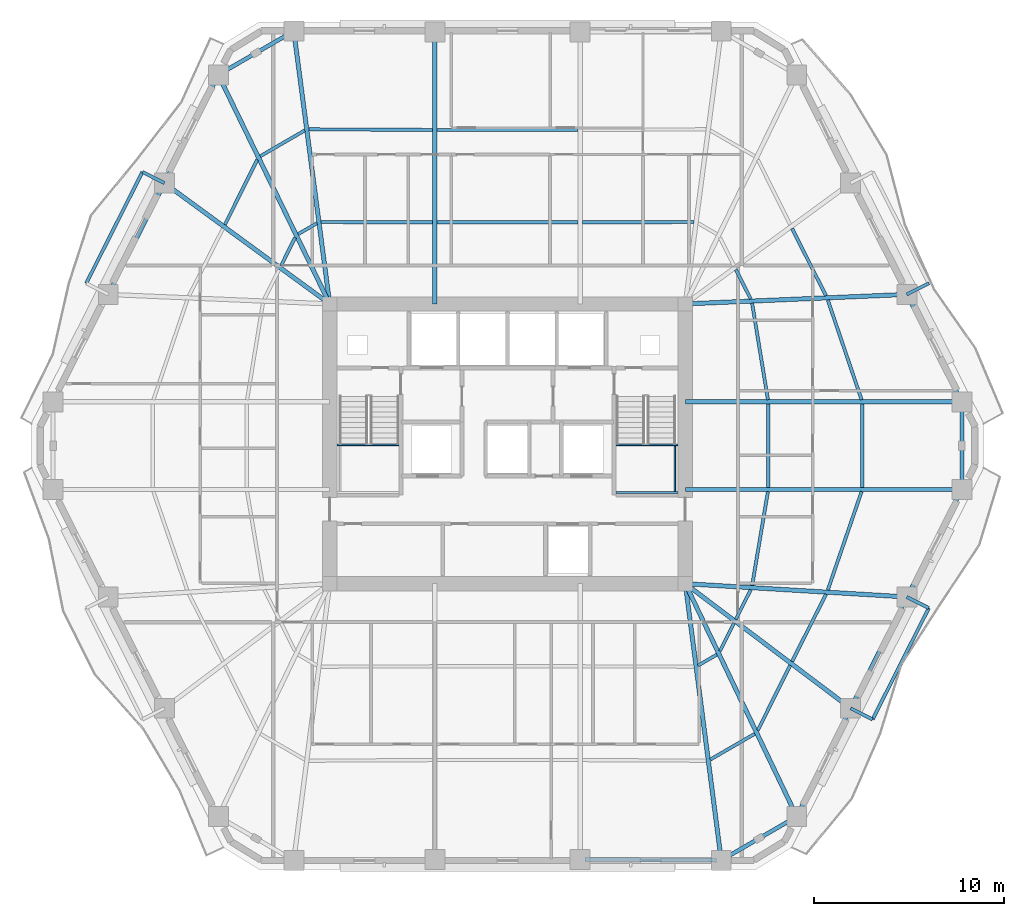
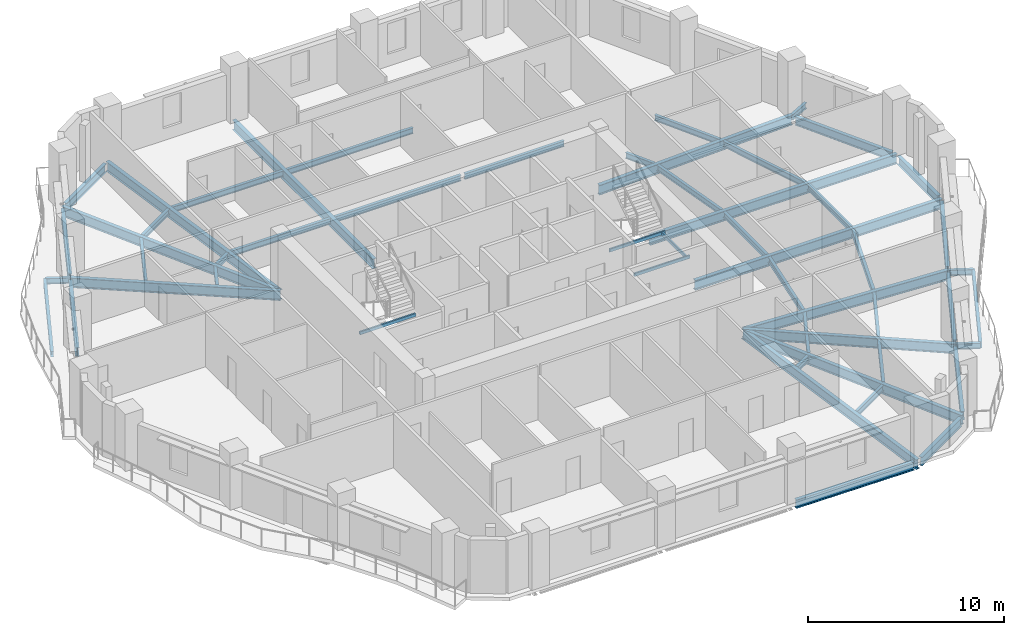
# One storey, part 2 of 12: 54 beams.
"""IFC4 building model written with IfcOpenShell, lengths in metres."""

from ifc_helpers import new_model, si_unit, direction, frame, origin, origin_2d, place, context, subcontext, project, spatial, hollow_rectangle, i_section, extrude, material, material_profile, profile_set, type_object, element, save


model = new_model("IFC4")

# Units and contexts
model_context = context("Model", 3, precision=1e-05, world=origin(), true_north=direction((0.0, 1.0)))
body_context = subcontext(model_context, "Body", "Model", "MODEL_VIEW")
ifc_project = project(units=[si_unit("LENGTHUNIT", "METRE"), si_unit("AREAUNIT", "SQUARE_METRE"), si_unit("VOLUMEUNIT", "CUBIC_METRE"), si_unit("PLANEANGLEUNIT", "RADIAN"), si_unit("MASSUNIT", "GRAM", prefix="KILO")], contexts=[model_context])

# Site, building, storey
site_placement = place(None, origin())
site = spatial("IfcSite", under=ifc_project, at=site_placement, CompositionType="ELEMENT")
building_placement = place(site_placement, origin())
building = spatial("IfcBuilding", under=site, at=building_placement, Name="Cinnabar Lancet Tower", CompositionType="ELEMENT")
storey_placement = place(building_placement, frame((0.0, 0.0, 126.800048828125)))
storey = spatial("IfcBuildingStorey", under=building, at=storey_placement, Name="L33", CompositionType="ELEMENT", Elevation=126.800048828125)

# Beams
ifc_material_1 = material(Name="Structural steel S355", Category="steel")
ifc_material_profile_1 = material_profile(ifc_material_1, i_section(OverallWidth=0.17138671875, OverallDepth=0.35498046875, WebThickness=0.00732421875, FlangeThickness=0.011474609375, FilletRadius=0.01025390625, at=origin_2d()), Name="UKB 356x171x51")
ifc_profile_set_1 = profile_set([ifc_material_profile_1], Name="Structural steel S355")
beam_type_1 = type_object("IfcBeamType", Name="STR-BM-JST-356", PredefinedType="JOIST", material=ifc_profile_set_1)
beam_1_placement = place(storey_placement, frame((43.093994140625, 9.251953125, -0.386962890625), z_axis=(0.865172906898, 0.501473669469, 0.0), x_axis=(-0.501473669469, 0.865172906898, 0.0)))
element("IfcBeam", 1, at=beam_1_placement, inside=storey, type_object=beam_type_1, Name="L33 Secondary Floor Joist 15", PredefinedType="JOIST", context=body_context, shape_type="SweptSolid", body=[
    extrude(i_section(OverallWidth=0.17138671875, OverallDepth=0.35498046875, WebThickness=0.00732421875, FlangeThickness=0.011474609375, FilletRadius=0.01025390625, at=origin_2d()), origin(), (0.0, 0.0, 1.0), 2.705810546875),
])
beam_2_placement = place(storey_placement, frame((42.449951171875, 14.2109375, -0.386962890625), z_axis=(0.865055308165, 0.501676503154, 0.0), x_axis=(-0.501676503154, 0.865055308165, 0.0)))
element("IfcBeam", 2, at=beam_2_placement, inside=storey, type_object=beam_type_1, Name="L33 Secondary Floor Joist 16", PredefinedType="JOIST", context=body_context, shape_type="SweptSolid", body=[
    extrude(i_section(OverallWidth=0.17138671875, OverallDepth=0.35498046875, WebThickness=0.00732421875, FlangeThickness=0.011474609375, FilletRadius=0.01025390625, at=origin_2d()), origin(), (0.0, 0.0, 1.0), 1.14208984375),
])
beam_3_placement = place(storey_placement, frame((45.59912109375, 10.7958984375, -0.386962890625), z_axis=(0.445295120803, 0.895383859241, 0.0), x_axis=(-0.895383859241, 0.445295120803, 0.0)))
element("IfcBeam", 3, at=beam_3_placement, inside=storey, type_object=beam_type_1, Name="L33 Secondary Floor Joist 17", PredefinedType="JOIST", context=body_context, shape_type="SweptSolid", body=[
    extrude(i_section(OverallWidth=0.17138671875, OverallDepth=0.35498046875, WebThickness=0.00732421875, FlangeThickness=0.011474609375, FilletRadius=0.01025390625, at=origin_2d()), origin(), (0.0, 0.0, 1.0), 3.81982421875),
])
beam_4_placement = place(storey_placement, frame((43.60205078125, 14.970947265625, -0.386962890625), z_axis=(0.44543923568, 0.895312173109, 0.0), x_axis=(-0.895312173109, 0.44543923568, 0.0)))
element("IfcBeam", 4, at=beam_4_placement, inside=storey, type_object=beam_type_1, Name="L33 Secondary Floor Joist 18", PredefinedType="JOIST", context=body_context, shape_type="SweptSolid", body=[
    extrude(i_section(OverallWidth=0.17138671875, OverallDepth=0.35498046875, WebThickness=0.00732421875, FlangeThickness=0.011474609375, FilletRadius=0.01025390625, at=origin_2d()), origin(), (0.0, 0.0, 1.0), 1.65185546875),
])
beam_5_placement = place(storey_placement, frame((47.404052734375, 14.424072265625, -0.386962890625), z_axis=(0.450706028652, 0.892672434736, 0.0), x_axis=(-0.892672434736, 0.450706028652, 0.0)))
element("IfcBeam", 5, at=beam_5_placement, inside=storey, type_object=beam_type_1, Name="L33 Secondary Floor Joist 19", PredefinedType="JOIST", context=body_context, shape_type="SweptSolid", body=[
    extrude(i_section(OverallWidth=0.17138671875, OverallDepth=0.35498046875, WebThickness=0.00732421875, FlangeThickness=0.011474609375, FilletRadius=0.01025390625, at=origin_2d()), origin(), (0.0, 0.0, 1.0), 3.966796875),
])
beam_6_placement = place(storey_placement, frame((44.44091796875, 16.657958984375, -0.386962890625), z_axis=(0.450874341268, 0.892587434589, 0.0), x_axis=(-0.892587434589, 0.450874341268, 0.0)))
element("IfcBeam", 6, at=beam_6_placement, inside=storey, type_object=beam_type_1, Name="L33 Secondary Floor Joist 20", PredefinedType="JOIST", context=body_context, shape_type="SweptSolid", body=[
    extrude(i_section(OverallWidth=0.17138671875, OverallDepth=0.35498046875, WebThickness=0.00732421875, FlangeThickness=0.011474609375, FilletRadius=0.01025390625, at=origin_2d()), origin(), (0.0, 0.0, 1.0), 1.732177734375),
])
beam_7_placement = place(storey_placement, frame((49.287109375, 18.18798828125, -0.386962890625), z_axis=(0.324639458548, 0.945837841257, 0.0), x_axis=(-0.945837841257, 0.324639458548, 0.0)))
element("IfcBeam", 7, at=beam_7_placement, inside=storey, type_object=beam_type_1, Name="L33 Secondary Floor Joist 21", PredefinedType="JOIST", context=body_context, shape_type="SweptSolid", body=[
    extrude(i_section(OverallWidth=0.17138671875, OverallDepth=0.35498046875, WebThickness=0.00732421875, FlangeThickness=0.011474609375, FilletRadius=0.01025390625, at=origin_2d()), origin(), (0.0, 0.0, 1.0), 5.486083984375),
])
beam_8_placement = place(storey_placement, frame((45.297119140625, 18.427978515625, -0.386962890625), z_axis=(0.165937104691, 0.986136338082, 0.0), x_axis=(-0.986136338082, 0.165937104691, 0.0)))
element("IfcBeam", 8, at=beam_8_placement, inside=storey, type_object=beam_type_1, Name="L33 Secondary Floor Joist 22", PredefinedType="JOIST", context=body_context, shape_type="SweptSolid", body=[
    extrude(i_section(OverallWidth=0.17138671875, OverallDepth=0.35498046875, WebThickness=0.00732421875, FlangeThickness=0.011474609375, FilletRadius=0.01025390625, at=origin_2d()), origin(), (0.0, 0.0, 1.0), 5.0185546875),
])
for number, where, z_axis, x_axis, name in (
    (9, (51.10693359375, 23.60498046875, -0.386962890625), (0.0, 1.0, 0.0), (-1.0, 0.0, 0.0), "L33 Secondary Floor Joist 23"),
    (10, (46.14990234375, 23.60498046875, -0.386962890625), (0.0, 1.0, 0.0), (-1.0, 0.0, 0.0), "L33 Secondary Floor Joist 24"),
):
    element("IfcBeam", number, at=place(storey_placement, frame(where, z_axis=z_axis, x_axis=x_axis)), inside=storey, type_object=beam_type_1, Name=name, PredefinedType="JOIST", context=body_context, shape_type="SweptSolid", body=[
        extrude(i_section(OverallWidth=0.17138671875, OverallDepth=0.35498046875, WebThickness=0.00732421875, FlangeThickness=0.011474609375, FilletRadius=0.01025390625, at=origin_2d()), origin(), (0.0, 0.0, 1.0), 4.39013671875),
    ])
beam_9_placement = place(storey_placement, frame((51.069091796875, 28.222900390625, -0.386962890625), z_axis=(-0.321063338019, 0.947057724207, 0.0), x_axis=(-0.947057724207, -0.321063338019, 0.0)))
element("IfcBeam", 11, at=beam_9_placement, inside=storey, type_object=beam_type_1, Name="L33 Secondary Floor Joist 25", PredefinedType="JOIST", context=body_context, shape_type="SweptSolid", body=[
    extrude(i_section(OverallWidth=0.17138671875, OverallDepth=0.35498046875, WebThickness=0.00732421875, FlangeThickness=0.011474609375, FilletRadius=0.01025390625, at=origin_2d()), origin(), (0.0, 0.0, 1.0), 5.553955078125),
])
beam_10_placement = place(storey_placement, frame((46.131103515625, 28.222900390625, -0.386962890625), z_axis=(-0.161719098977, 0.986836832017, 0.0), x_axis=(-0.986836832017, -0.161719098977, 0.0)))
element("IfcBeam", 12, at=beam_10_placement, inside=storey, type_object=beam_type_1, Name="L33 Secondary Floor Joist 26", PredefinedType="JOIST", context=body_context, shape_type="SweptSolid", body=[
    extrude(i_section(OverallWidth=0.17138671875, OverallDepth=0.35498046875, WebThickness=0.00732421875, FlangeThickness=0.011474609375, FilletRadius=0.01025390625, at=origin_2d()), origin(), (0.0, 0.0, 1.0), 5.156982421875),
])
beam_11_placement = place(storey_placement, frame((49.19189453125, 33.70703125, -0.386962890625), z_axis=(-0.450606998706, 0.892722427587, 0.0), x_axis=(-0.892722427587, -0.450606998706, 0.0)))
element("IfcBeam", 13, at=beam_11_placement, inside=storey, type_object=beam_type_1, Name="L33 Secondary Floor Joist 27", PredefinedType="JOIST", context=body_context, shape_type="SweptSolid", body=[
    extrude(i_section(OverallWidth=0.17138671875, OverallDepth=0.35498046875, WebThickness=0.00732421875, FlangeThickness=0.011474609375, FilletRadius=0.01025390625, at=origin_2d()), origin(), (0.0, 0.0, 1.0), 3.967529296875),
])
beam_12_placement = place(storey_placement, frame((45.221923828125, 33.537109375, -0.386962890625), z_axis=(-0.450931068976, 0.892558777354, 0.0), x_axis=(-0.892558777354, -0.450931068976, 0.0)))
element("IfcBeam", 14, at=beam_12_placement, inside=storey, type_object=beam_type_1, Name="L33 Secondary Floor Joist 28", PredefinedType="JOIST", context=body_context, shape_type="SweptSolid", body=[
    extrude(i_section(OverallWidth=0.17138671875, OverallDepth=0.35498046875, WebThickness=0.00732421875, FlangeThickness=0.011474609375, FilletRadius=0.01025390625, at=origin_2d()), origin(), (0.0, 0.0, 1.0), 1.73193359375),
])
beam_13_placement = place(storey_placement, frame((42.22802734375, 37.591064453125, -0.386962890625), z_axis=(-0.999996247906, -0.002739374605, 0.0), x_axis=(0.002739374605, -0.999996247906, 0.0)))
element("IfcBeam", 15, at=beam_13_placement, inside=storey, type_object=beam_type_1, Name="L33 Secondary Floor Joist 34", PredefinedType="JOIST", context=body_context, shape_type="SweptSolid", body=[
    extrude(i_section(OverallWidth=0.17138671875, OverallDepth=0.35498046875, WebThickness=0.00732421875, FlangeThickness=0.011474609375, FilletRadius=0.01025390625, at=origin_2d()), origin(), (0.0, 0.0, 1.0), 5.882080078125),
])
for number, where, z_axis, x_axis, name in (
    (16, (36.117919921875, 42.447998046875, -0.386962890625), (-1.0, 0.0, 0.0), (0.0, -1.0, 0.0), "L33 Secondary Floor Joist 35"),
    (17, (36.117919921875, 37.574951171875, -0.386962890625), (-1.0, 0.0, 0.0), (0.0, -1.0, 0.0), "L33 Secondary Floor Joist 36"),
):
    element("IfcBeam", number, at=place(storey_placement, frame(where, z_axis=z_axis, x_axis=x_axis)), inside=storey, type_object=beam_type_1, Name=name, PredefinedType="JOIST", context=body_context, shape_type="SweptSolid", body=[
        extrude(i_section(OverallWidth=0.17138671875, OverallDepth=0.35498046875, WebThickness=0.00732421875, FlangeThickness=0.011474609375, FilletRadius=0.01025390625, at=origin_2d()), origin(), (0.0, 0.0, 1.0), 7.43603515625),
    ])
beam_14_placement = place(storey_placement, frame((28.4541015625, 42.448974609375, -0.386962890625), z_axis=(-0.999987991898, 0.004900618269, 0.0), x_axis=(-0.004900618269, -0.999987991898, 0.0)))
element("IfcBeam", 18, at=beam_14_placement, inside=storey, type_object=beam_type_1, Name="L33 Secondary Floor Joist 37", PredefinedType="JOIST", context=body_context, shape_type="SweptSolid", body=[
    extrude(i_section(OverallWidth=0.17138671875, OverallDepth=0.35498046875, WebThickness=0.00732421875, FlangeThickness=0.011474609375, FilletRadius=0.01025390625, at=origin_2d()), origin(), (0.0, 0.0, 1.0), 6.526123046875),
])
beam_15_placement = place(storey_placement, frame((28.4541015625, 37.574951171875, -0.386962890625), z_axis=(-0.999996247906, 0.002739374605, 0.0), x_axis=(-0.002739374605, -0.999996247906, 0.0)))
element("IfcBeam", 19, at=beam_15_placement, inside=storey, type_object=beam_type_1, Name="L33 Secondary Floor Joist 38", PredefinedType="JOIST", context=body_context, shape_type="SweptSolid", body=[
    extrude(i_section(OverallWidth=0.17138671875, OverallDepth=0.35498046875, WebThickness=0.00732421875, FlangeThickness=0.011474609375, FilletRadius=0.01025390625, at=origin_2d()), origin(), (0.0, 0.0, 1.0), 5.882080078125),
])
beam_16_placement = place(storey_placement, frame((21.7060546875, 42.419921875, -0.386962890625), z_axis=(-0.865172906898, -0.501473669469, 0.0), x_axis=(0.501473669469, -0.865172906898, 0.0)))
element("IfcBeam", 20, at=beam_16_placement, inside=storey, type_object=beam_type_1, Name="L33 Secondary Floor Joist 39", PredefinedType="JOIST", context=body_context, shape_type="SweptSolid", body=[
    extrude(i_section(OverallWidth=0.17138671875, OverallDepth=0.35498046875, WebThickness=0.00732421875, FlangeThickness=0.011474609375, FilletRadius=0.01025390625, at=origin_2d()), origin(), (0.0, 0.0, 1.0), 2.705810546875),
])
beam_17_placement = place(storey_placement, frame((22.35009765625, 37.529052734375, -0.386962890625), z_axis=(-0.865055308165, -0.501676503154, 0.0), x_axis=(0.501676503154, -0.865055308165, 0.0)))
element("IfcBeam", 21, at=beam_17_placement, inside=storey, type_object=beam_type_1, Name="L33 Secondary Floor Joist 40", PredefinedType="JOIST", context=body_context, shape_type="SweptSolid", body=[
    extrude(i_section(OverallWidth=0.17138671875, OverallDepth=0.35498046875, WebThickness=0.00732421875, FlangeThickness=0.011474609375, FilletRadius=0.01025390625, at=origin_2d()), origin(), (0.0, 0.0, 1.0), 1.14208984375),
])
beam_18_placement = place(storey_placement, frame((19.200927734375, 40.876953125, -0.386962890625), z_axis=(-0.445116798807, -0.895472520751, 0.0), x_axis=(0.895472520751, -0.445116798807, 0.0)))
element("IfcBeam", 22, at=beam_18_placement, inside=storey, type_object=beam_type_1, Name="L33 Secondary Floor Joist 41", PredefinedType="JOIST", context=body_context, shape_type="SweptSolid", body=[
    extrude(i_section(OverallWidth=0.17138671875, OverallDepth=0.35498046875, WebThickness=0.00732421875, FlangeThickness=0.011474609375, FilletRadius=0.01025390625, at=origin_2d()), origin(), (0.0, 0.0, 1.0), 3.8212890625),
])
beam_19_placement = place(storey_placement, frame((21.198974609375, 36.77001953125, -0.386962890625), z_axis=(-0.445795466264, -0.895134851438, 0.0), x_axis=(0.895134851438, -0.445795466264, 0.0)))
element("IfcBeam", 23, at=beam_19_placement, inside=storey, type_object=beam_type_1, Name="L33 Secondary Floor Joist 42", PredefinedType="JOIST", context=body_context, shape_type="SweptSolid", body=[
    extrude(i_section(OverallWidth=0.17138671875, OverallDepth=0.35498046875, WebThickness=0.00732421875, FlangeThickness=0.011474609375, FilletRadius=0.01025390625, at=origin_2d()), origin(), (0.0, 0.0, 1.0), 1.6533203125),
])
ifc_material_2 = material(Name="Structural steel S355", Category="steel")
ifc_material_profile_2 = material_profile(ifc_material_2, hollow_rectangle(XDim=0.10009765625, YDim=0.199951171875, WallThickness=0.008056640625, InnerFilletRadius=0.00390625, OuterFilletRadius=0.011962890625, at=origin_2d()), Name="RHS 200x100x8")
ifc_profile_set_2 = profile_set([ifc_material_profile_2], Name="Structural steel S355")
beam_type_2 = type_object("IfcBeamType", Name="STR-BM-LND-203", PredefinedType="BEAM", material=ifc_profile_set_2)
beam_20_placement = place(storey_placement, frame((23.39990234375, 25.844970703125, 1.474853515625), z_axis=(1.0, 0.0, 0.0), x_axis=(0.0, 1.0, 0.0)))
element("IfcBeam", 24, at=beam_20_placement, inside=storey, type_object=beam_type_2, Name="L33 ST-1-L33 Landing Support Beam N", PredefinedType="BEAM", context=body_context, shape_type="SweptSolid", body=[
    extrude(hollow_rectangle(XDim=0.10009765625, YDim=0.199951171875, WallThickness=0.008056640625, InnerFilletRadius=0.00390625, OuterFilletRadius=0.011962890625, at=origin_2d()), origin(), (0.0, 0.0, 1.0), 3.280029296875),
])
for number, where, z_axis, x_axis, name in (
    (25, (38.1201171875, 23.330078125, 1.474853515625), (1.0, 0.0, 0.0), (0.0, 1.0, 0.0), "L33 ST-2-L33 Landing Support Beam S"),
    (26, (38.1201171875, 25.844970703125, 1.474853515625), (1.0, 0.0, 0.0), (0.0, 1.0, 0.0), "L33 ST-2-L33 Landing Support Beam N"),
):
    element("IfcBeam", number, at=place(storey_placement, frame(where, z_axis=z_axis, x_axis=x_axis)), inside=storey, type_object=beam_type_2, Name=name, PredefinedType="BEAM", context=body_context, shape_type="SweptSolid", body=[
        extrude(hollow_rectangle(XDim=0.10009765625, YDim=0.199951171875, WallThickness=0.008056640625, InnerFilletRadius=0.00390625, OuterFilletRadius=0.011962890625, at=origin_2d()), origin(), (0.0, 0.0, 1.0), 3.27978515625),
    ])
beam_21_placement = place(storey_placement, frame((41.219970703125, 23.3798828125, 1.474853515625), z_axis=(0.0, 1.0, 0.0), x_axis=(-1.0, 0.0, 0.0)))
element("IfcBeam", 27, at=beam_21_placement, inside=storey, type_object=beam_type_2, Name="L33 ST-2-L33 Landing Side Trimmer Beam", PredefinedType="BEAM", context=body_context, shape_type="SweptSolid", body=[
    extrude(hollow_rectangle(XDim=0.10009765625, YDim=0.199951171875, WallThickness=0.008056640625, InnerFilletRadius=0.00390625, OuterFilletRadius=0.011962890625, at=origin_2d()), origin(), (0.0, 0.0, 1.0), 2.4150390625),
])
ifc_material_3 = material(Name="Structural steel S355", Category="steel")
ifc_material_profile_3 = material_profile(ifc_material_3, i_section(OverallWidth=0.209228515625, OverallDepth=0.533203125, WebThickness=0.010009765625, FlangeThickness=0.015625, FilletRadius=0.0126953125, at=origin_2d()), Name="UKB 533x210x92")
ifc_profile_set_3 = profile_set([ifc_material_profile_3], Name="Structural steel S355")
beam_type_3 = type_object("IfcBeamType", Name="STR-BM-SPN-533", PredefinedType="SPANDREL", material=ifc_profile_set_3)
beam_22_placement = place(storey_placement, frame((36.48193359375, 3.989990234375, -0.47705078125), z_axis=(0.999974980359, -0.007073800628, 0.0), x_axis=(0.007073800628, 0.999974980359, 0.0)))
element("IfcBeam", 28, at=beam_22_placement, inside=storey, type_object=beam_type_3, Name="L33 Perimeter Spandrel 3", PredefinedType="SPANDREL", context=body_context, shape_type="SweptSolid", body=[
    extrude(i_section(OverallWidth=0.209228515625, OverallDepth=0.533203125, WebThickness=0.010009765625, FlangeThickness=0.015625, FilletRadius=0.0126953125, at=origin_2d()), origin(), (0.0, 0.0, 1.0), 6.937255859375),
])
beam_23_placement = place(storey_placement, frame((43.885009765625, 4.06396484375, -0.47705078125), z_axis=(0.865112299906, 0.501578217781, 0.0), x_axis=(-0.501578217781, 0.865112299906, 0.0)))
element("IfcBeam", 29, at=beam_23_placement, inside=storey, type_object=beam_type_3, Name="L33 Perimeter Spandrel 4", PredefinedType="SPANDREL", context=body_context, shape_type="SweptSolid", body=[
    extrude(i_section(OverallWidth=0.209228515625, OverallDepth=0.533203125, WebThickness=0.010009765625, FlangeThickness=0.015625, FilletRadius=0.0126953125, at=origin_2d()), origin(), (0.0, 0.0, 1.0), 4.101318359375),
])
beam_24_placement = place(storey_placement, frame((47.760009765625, 6.469970703125, -0.47705078125), z_axis=(0.445501068635, 0.89528140707, 0.0), x_axis=(-0.89528140707, 0.445501068635, 0.0)))
element("IfcBeam", 30, at=beam_24_placement, inside=storey, type_object=beam_type_3, Name="L33 Perimeter Spandrel 5", PredefinedType="SPANDREL", context=body_context, shape_type="SweptSolid", body=[
    extrude(i_section(OverallWidth=0.209228515625, OverallDepth=0.533203125, WebThickness=0.010009765625, FlangeThickness=0.015625, FilletRadius=0.0126953125, at=origin_2d()), origin(), (0.0, 0.0, 1.0), 5.87646484375),
])
beam_25_placement = place(storey_placement, frame((50.60205078125, 12.177978515625, -0.47705078125), z_axis=(0.450570325924, 0.892740937449, 0.0), x_axis=(-0.892740937449, 0.450570325924, 0.0)))
element("IfcBeam", 31, at=beam_25_placement, inside=storey, type_object=beam_type_3, Name="L33 Perimeter Spandrel 6", PredefinedType="SPANDREL", context=body_context, shape_type="SweptSolid", body=[
    extrude(i_section(OverallWidth=0.209228515625, OverallDepth=0.533203125, WebThickness=0.010009765625, FlangeThickness=0.015625, FilletRadius=0.0126953125, at=origin_2d()), origin(), (0.0, 0.0, 1.0), 6.07470703125),
])
beam_26_placement = place(storey_placement, frame((53.56591796875, 18.0458984375, -0.47705078125), z_axis=(0.456109733574, 0.889923542187, 0.0), x_axis=(-0.889923542187, 0.456109733574, 0.0)))
element("IfcBeam", 32, at=beam_26_placement, inside=storey, type_object=beam_type_3, Name="L33 Perimeter Spandrel 7", PredefinedType="SPANDREL", context=body_context, shape_type="SweptSolid", body=[
    extrude(i_section(OverallWidth=0.209228515625, OverallDepth=0.533203125, WebThickness=0.010009765625, FlangeThickness=0.015625, FilletRadius=0.0126953125, at=origin_2d()), origin(), (0.0, 0.0, 1.0), 5.869140625),
])
beam_27_placement = place(storey_placement, frame((56.35693359375, 23.740966796875, -0.47705078125), z_axis=(0.0, 1.0, 0.0), x_axis=(-1.0, 0.0, 0.0)))
element("IfcBeam", 33, at=beam_27_placement, inside=storey, type_object=beam_type_3, Name="L33 Perimeter Spandrel 8", PredefinedType="SPANDREL", context=body_context, shape_type="SweptSolid", body=[
    extrude(i_section(OverallWidth=0.209228515625, OverallDepth=0.533203125, WebThickness=0.010009765625, FlangeThickness=0.015625, FilletRadius=0.0126953125, at=origin_2d()), origin(), (0.0, 0.0, 1.0), 4.117919921875),
])
beam_28_placement = place(storey_placement, frame((56.242919921875, 28.3310546875, -0.47705078125), z_axis=(-0.456126618405, 0.889914888055, 0.0), x_axis=(-0.889914888055, -0.456126618405, 0.0)))
element("IfcBeam", 34, at=beam_28_placement, inside=storey, type_object=beam_type_3, Name="L33 Perimeter Spandrel 9", PredefinedType="SPANDREL", context=body_context, shape_type="SweptSolid", body=[
    extrude(i_section(OverallWidth=0.209228515625, OverallDepth=0.533203125, WebThickness=0.010009765625, FlangeThickness=0.015625, FilletRadius=0.0126953125, at=origin_2d()), origin(), (0.0, 0.0, 1.0), 5.868896484375),
])
beam_29_placement = place(storey_placement, frame((20.9150390625, 47.535888671875, -0.47705078125), z_axis=(-0.865138129765, -0.5015336643, 0.0), x_axis=(0.5015336643, -0.865138129765, 0.0)))
element("IfcBeam", 35, at=beam_29_placement, inside=storey, type_object=beam_type_3, Name="L33 Perimeter Spandrel 16", PredefinedType="SPANDREL", context=body_context, shape_type="SweptSolid", body=[
    extrude(i_section(OverallWidth=0.209228515625, OverallDepth=0.533203125, WebThickness=0.010009765625, FlangeThickness=0.015625, FilletRadius=0.0126953125, at=origin_2d()), origin(), (0.0, 0.0, 1.0), 4.10107421875),
])
beam_30_placement = place(storey_placement, frame((17.0400390625, 45.1298828125, -0.47705078125), z_axis=(-0.445501068635, -0.89528140707, 0.0), x_axis=(0.89528140707, -0.445501068635, 0.0)))
element("IfcBeam", 36, at=beam_30_placement, inside=storey, type_object=beam_type_3, Name="L33 Perimeter Spandrel 17", PredefinedType="SPANDREL", context=body_context, shape_type="SweptSolid", body=[
    extrude(i_section(OverallWidth=0.209228515625, OverallDepth=0.533203125, WebThickness=0.010009765625, FlangeThickness=0.015625, FilletRadius=0.0126953125, at=origin_2d()), origin(), (0.0, 0.0, 1.0), 5.87646484375),
])
beam_31_placement = place(storey_placement, frame((14.197998046875, 39.422119140625, -0.47705078125), z_axis=(-0.450570325924, -0.892740937449, 0.0), x_axis=(0.892740937449, -0.450570325924, 0.0)))
element("IfcBeam", 37, at=beam_31_placement, inside=storey, type_object=beam_type_3, Name="L33 Perimeter Spandrel 18", PredefinedType="SPANDREL", context=body_context, shape_type="SweptSolid", body=[
    extrude(i_section(OverallWidth=0.209228515625, OverallDepth=0.533203125, WebThickness=0.010009765625, FlangeThickness=0.015625, FilletRadius=0.0126953125, at=origin_2d()), origin(), (0.0, 0.0, 1.0), 6.07470703125),
])
ifc_material_4 = material(Name="Structural steel S355", Category="steel")
ifc_material_profile_4 = material_profile(ifc_material_4, i_section(OverallWidth=0.228271484375, OverallDepth=0.607666015625, WebThickness=0.010986328125, FlangeThickness=0.017333984375, FilletRadius=0.0126953125, at=origin_2d()), Name="UKB 610x229x113")
ifc_profile_set_4 = profile_set([ifc_material_profile_4], Name="Structural steel S355")
beam_type_4 = type_object("IfcBeamType", Name="STR-BM-UKB610-113", PredefinedType="BEAM", material=ifc_profile_set_4)
beam_32_placement = place(storey_placement, frame((50.489013671875, 11.955078125, -0.51416015625), z_axis=(-0.798491457835, 0.602006139308, 0.0), x_axis=(-0.602006139308, -0.798491457835, 0.0)))
element("IfcBeam", 38, at=beam_32_placement, inside=storey, type_object=beam_type_4, Name="L33 Corner Collector Girder 2", PredefinedType="BEAM", context=body_context, shape_type="SweptSolid", body=[
    extrude(i_section(OverallWidth=0.228271484375, OverallDepth=0.607666015625, WebThickness=0.010986328125, FlangeThickness=0.017333984375, FilletRadius=0.0126953125, at=origin_2d()), origin(), (0.0, 0.0, 1.0), 10.913330078125),
])
beam_33_placement = place(storey_placement, frame((14.31103515625, 39.64501953125, -0.51416015625), z_axis=(0.807289993592, -0.590154951048, 0.0), x_axis=(0.590154951048, 0.807289993592, 0.0)))
element("IfcBeam", 39, at=beam_33_placement, inside=storey, type_object=beam_type_4, Name="L33 Corner Collector Girder 4", PredefinedType="BEAM", context=body_context, shape_type="SweptSolid", body=[
    extrude(i_section(OverallWidth=0.228271484375, OverallDepth=0.607666015625, WebThickness=0.010986328125, FlangeThickness=0.017333984375, FilletRadius=0.0126953125, at=origin_2d()), origin(), (0.0, 0.0, 1.0), 10.7939453125),
])
beam_34_placement = place(storey_placement, frame((43.6689453125, 3.93896484375, -0.51416015625), z_axis=(-0.12877289353, 0.99167411073, 0.0), x_axis=(-0.99167411073, -0.12877289353, 0.0)))
element("IfcBeam", 40, at=beam_34_placement, inside=storey, type_object=beam_type_4, Name="L33 Primary Floor Girder 4", PredefinedType="BEAM", context=body_context, shape_type="SweptSolid", body=[
    extrude(i_section(OverallWidth=0.228271484375, OverallDepth=0.607666015625, WebThickness=0.010986328125, FlangeThickness=0.017333984375, FilletRadius=0.0126953125, at=origin_2d()), origin(), (0.0, 0.0, 1.0), 14.70849609375),
])
beam_35_placement = place(storey_placement, frame((47.64892578125, 6.24609375, -0.51416015625), z_axis=(-0.431548156881, 0.902089900339, 0.0), x_axis=(-0.902089900339, -0.431548156881, 0.0)))
element("IfcBeam", 41, at=beam_35_placement, inside=storey, type_object=beam_type_4, Name="L33 Primary Floor Girder 5", PredefinedType="BEAM", context=body_context, shape_type="SweptSolid", body=[
    extrude(i_section(OverallWidth=0.228271484375, OverallDepth=0.607666015625, WebThickness=0.010986328125, FlangeThickness=0.017333984375, FilletRadius=0.0126953125, at=origin_2d()), origin(), (0.0, 0.0, 1.0), 13.611572265625),
])
beam_36_placement = place(storey_placement, frame((53.451904296875, 17.823974609375, -0.51416015625), z_axis=(-0.998203272991, 0.059918492897, 0.0), x_axis=(-0.059918492897, -0.998203272991, 0.0)))
element("IfcBeam", 42, at=beam_36_placement, inside=storey, type_object=beam_type_4, Name="L33 Primary Floor Girder 7", PredefinedType="BEAM", context=body_context, shape_type="SweptSolid", body=[
    extrude(i_section(OverallWidth=0.228271484375, OverallDepth=0.607666015625, WebThickness=0.010986328125, FlangeThickness=0.017333984375, FilletRadius=0.0126953125, at=origin_2d()), origin(), (0.0, 0.0, 1.0), 11.697998046875),
])
for number, where, z_axis, x_axis, name in (
    (43, (56.35693359375, 23.490966796875, -0.51416015625), (-1.0, 0.0, 0.0), (0.0, -1.0, 0.0), "L33 Primary Floor Girder 8"),
    (44, (56.35693359375, 28.10888671875, -0.51416015625), (-1.0, 0.0, 0.0), (0.0, -1.0, 0.0), "L33 Primary Floor Girder 9"),
):
    element("IfcBeam", number, at=place(storey_placement, frame(where, z_axis=z_axis, x_axis=x_axis)), inside=storey, type_object=beam_type_4, Name=name, PredefinedType="BEAM", context=body_context, shape_type="SweptSolid", body=[
        extrude(i_section(OverallWidth=0.228271484375, OverallDepth=0.607666015625, WebThickness=0.010986328125, FlangeThickness=0.017333984375, FilletRadius=0.0126953125, at=origin_2d()), origin(), (0.0, 0.0, 1.0), 14.58203125),
    ])
beam_37_placement = place(storey_placement, frame((53.451904296875, 33.77587890625, -0.51416015625), z_axis=(-0.999080941658, -0.042863411158, 0.0), x_axis=(0.042863411158, -0.999080941658, 0.0)))
element("IfcBeam", 45, at=beam_37_placement, inside=storey, type_object=beam_type_4, Name="L33 Primary Floor Girder 10", PredefinedType="BEAM", context=body_context, shape_type="SweptSolid", body=[
    extrude(i_section(OverallWidth=0.228271484375, OverallDepth=0.607666015625, WebThickness=0.010986328125, FlangeThickness=0.017333984375, FilletRadius=0.0126953125, at=origin_2d()), origin(), (0.0, 0.0, 1.0), 11.687744140625),
])
beam_38_placement = place(storey_placement, frame((28.568115234375, 47.60791015625, -0.51416015625), z_axis=(0.0, -1.0, 0.0), x_axis=(1.0, 0.0, 0.0)))
element("IfcBeam", 46, at=beam_38_placement, inside=storey, type_object=beam_type_4, Name="L33 Primary Floor Girder 15", PredefinedType="BEAM", context=body_context, shape_type="SweptSolid", body=[
    extrude(i_section(OverallWidth=0.228271484375, OverallDepth=0.607666015625, WebThickness=0.010986328125, FlangeThickness=0.017333984375, FilletRadius=0.0126953125, at=origin_2d()), origin(), (0.0, 0.0, 1.0), 14.3330078125),
])
beam_39_placement = place(storey_placement, frame((21.131103515625, 47.660888671875, -0.51416015625), z_axis=(0.130515881524, -0.991446218748, 0.0), x_axis=(0.991446218748, 0.130515881524, 0.0)))
element("IfcBeam", 47, at=beam_39_placement, inside=storey, type_object=beam_type_4, Name="L33 Primary Floor Girder 16", PredefinedType="BEAM", context=body_context, shape_type="SweptSolid", body=[
    extrude(i_section(OverallWidth=0.228271484375, OverallDepth=0.607666015625, WebThickness=0.010986328125, FlangeThickness=0.017333984375, FilletRadius=0.0126953125, at=origin_2d()), origin(), (0.0, 0.0, 1.0), 14.510009765625),
])
beam_40_placement = place(storey_placement, frame((17.15087890625, 45.35400390625, -0.51416015625), z_axis=(0.437327473227, -0.899302330232, 0.0), x_axis=(0.899302330232, 0.437327473227, 0.0)))
element("IfcBeam", 48, at=beam_40_placement, inside=storey, type_object=beam_type_4, Name="L33 Primary Floor Girder 17", PredefinedType="BEAM", context=body_context, shape_type="SweptSolid", body=[
    extrude(i_section(OverallWidth=0.228271484375, OverallDepth=0.607666015625, WebThickness=0.010986328125, FlangeThickness=0.017333984375, FilletRadius=0.0126953125, at=origin_2d()), origin(), (0.0, 0.0, 1.0), 13.431640625),
])
ifc_material_5 = material(Name="Structural steel S355", Category="steel")
ifc_material_profile_5 = material_profile(ifc_material_5, i_section(OverallWidth=0.17138671875, OverallDepth=0.35498046875, WebThickness=0.00732421875, FlangeThickness=0.011474609375, FilletRadius=0.01025390625, at=origin_2d()), Name="UKB 356x171x51")
ifc_profile_set_5 = profile_set([ifc_material_profile_5], Name="Structural steel S355")
beam_type_5 = type_object("IfcBeamType", Name="STR-BM-WAV-OUT", PredefinedType="BEAM", material=ifc_profile_set_5)
for number, where, z_axis, x_axis, name in (
    (49, (50.489013671875, 11.955078125, -0.39697265625), (0.892200264127, -0.451639998995, 0.0), (0.451639998995, 0.892200264127, 0.0), "L33 Face 2 Balcony Outlooker A"),
    (50, (53.451904296875, 17.823974609375, -0.39697265625), (0.892314203325, -0.451414845285, 0.0), (0.451414845285, 0.892314203325, 0.0), "L33 Face 2 Balcony Outlooker B"),
):
    element("IfcBeam", number, at=place(storey_placement, frame(where, z_axis=z_axis, x_axis=x_axis)), inside=storey, type_object=beam_type_5, Name=name, PredefinedType="BEAM", context=body_context, shape_type="SweptSolid", body=[
        extrude(i_section(OverallWidth=0.17138671875, OverallDepth=0.35498046875, WebThickness=0.00732421875, FlangeThickness=0.011474609375, FilletRadius=0.01025390625, at=origin_2d()), origin(), (0.0, 0.0, 1.0), 1.300048828125),
    ])
beam_41_placement = place(storey_placement, frame((53.451904296875, 33.77587890625, -0.39697265625), z_axis=(0.892238560088, 0.451564338597, 0.0), x_axis=(-0.451564338597, 0.892238560088, 0.0)))
element("IfcBeam", 51, at=beam_41_placement, inside=storey, type_object=beam_type_5, Name="L33 Face 3 Balcony Outlooker A", PredefinedType="BEAM", context=body_context, shape_type="SweptSolid", body=[
    extrude(i_section(OverallWidth=0.17138671875, OverallDepth=0.35498046875, WebThickness=0.00732421875, FlangeThickness=0.011474609375, FilletRadius=0.01025390625, at=origin_2d()), origin(), (0.0, 0.0, 1.0), 1.30029296875),
])
beam_42_placement = place(storey_placement, frame((14.31103515625, 39.64501953125, -0.39697265625), z_axis=(-0.892314203325, 0.451414845285, 0.0), x_axis=(-0.451414845285, -0.892314203325, 0.0)))
element("IfcBeam", 52, at=beam_42_placement, inside=storey, type_object=beam_type_5, Name="L33 Face 5 Balcony Outlooker A", PredefinedType="BEAM", context=body_context, shape_type="SweptSolid", body=[
    extrude(i_section(OverallWidth=0.17138671875, OverallDepth=0.35498046875, WebThickness=0.00732421875, FlangeThickness=0.011474609375, FilletRadius=0.01025390625, at=origin_2d()), origin(), (0.0, 0.0, 1.0), 1.300048828125),
])
ifc_material_6 = material(Name="Structural steel S355", Category="steel")
ifc_material_profile_6 = material_profile(ifc_material_6, i_section(OverallWidth=0.17138671875, OverallDepth=0.35498046875, WebThickness=0.00732421875, FlangeThickness=0.011474609375, FilletRadius=0.01025390625, at=origin_2d()), Name="UKB 356x171x51")
ifc_profile_set_6 = profile_set([ifc_material_profile_6], Name="Structural steel S355")
beam_type_6 = type_object("IfcBeamType", Name="STR-BM-WAV-TRIM", PredefinedType="SPANDREL", material=ifc_profile_set_6)
beam_43_placement = place(storey_placement, frame((51.64892578125, 11.367919921875, -0.39697265625), z_axis=(0.450685888317, 0.892682603209, 0.0), x_axis=(-0.892682603209, 0.450685888317, 0.0)))
element("IfcBeam", 53, at=beam_43_placement, inside=storey, type_object=beam_type_6, Name="L33 Face 2 Balcony Edge Trimmer", PredefinedType="SPANDREL", context=body_context, shape_type="SweptSolid", body=[
    extrude(i_section(OverallWidth=0.17138671875, OverallDepth=0.35498046875, WebThickness=0.00732421875, FlangeThickness=0.011474609375, FilletRadius=0.01025390625, at=origin_2d()), origin(), (0.0, 0.0, 1.0), 6.57470703125),
])
beam_44_placement = place(storey_placement, frame((13.15087890625, 40.23193359375, -0.39697265625), z_axis=(-0.450671236139, -0.892690000457, 0.0), x_axis=(0.892690000457, -0.450671236139, 0.0)))
element("IfcBeam", 54, at=beam_44_placement, inside=storey, type_object=beam_type_6, Name="L33 Face 5 Balcony Edge Trimmer", PredefinedType="SPANDREL", context=body_context, shape_type="SweptSolid", body=[
    extrude(i_section(OverallWidth=0.17138671875, OverallDepth=0.35498046875, WebThickness=0.00732421875, FlangeThickness=0.011474609375, FilletRadius=0.01025390625, at=origin_2d()), origin(), (0.0, 0.0, 1.0), 6.574462890625),
])

save(model, "model.ifc")
